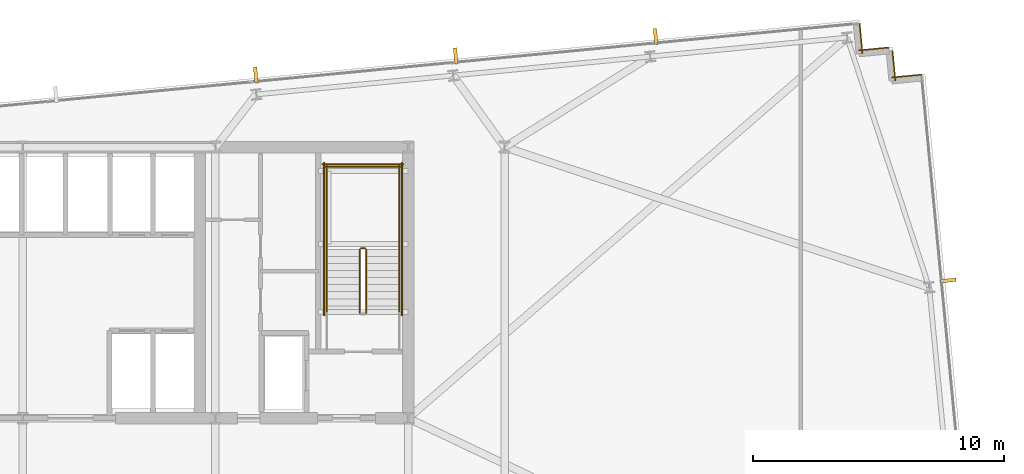
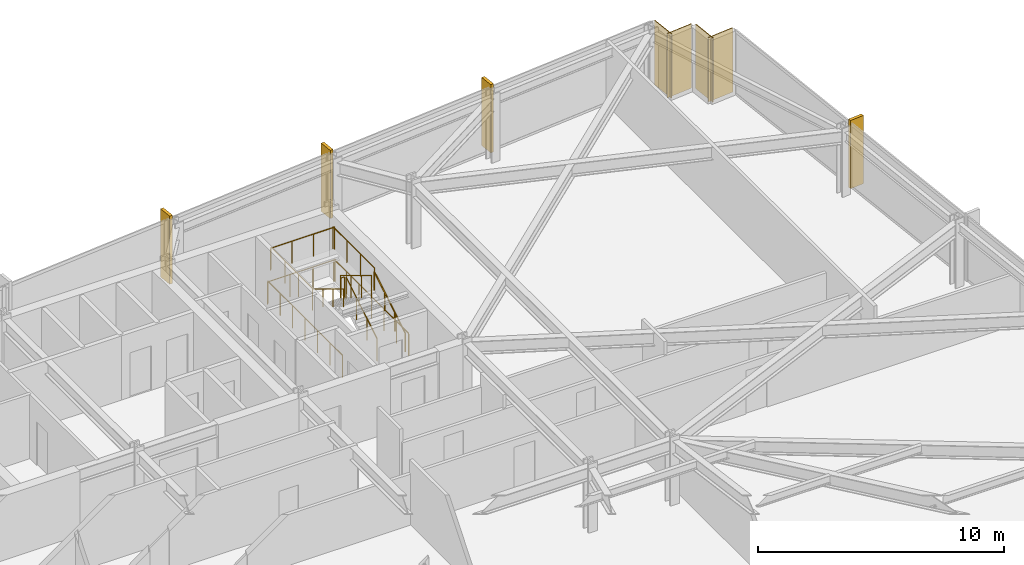
# One storey, part 32 of 32: 11 railings, 4 coverings, 4 shading devices.
"""IFC4 building model written with IfcOpenShell, lengths in metres."""

from ifc_helpers import new_model, si_unit, direction, frame, frame_2d, origin, origin_2d, place, context, subcontext, project, spatial, rectangle, circle, extrude, material, layer, layer_set, type_object, element, save


model = new_model("IFC4")

# Units and contexts
model_context = context("Model", 3, precision=1e-05, world=origin(), true_north=direction((0.0, 1.0)))
body_context = subcontext(model_context, "Body", "Model", "MODEL_VIEW")
ifc_project = project(units=[si_unit("LENGTHUNIT", "METRE"), si_unit("AREAUNIT", "SQUARE_METRE"), si_unit("VOLUMEUNIT", "CUBIC_METRE"), si_unit("PLANEANGLEUNIT", "RADIAN"), si_unit("MASSUNIT", "GRAM", prefix="KILO")], contexts=[model_context])

# Site, building, storey
site_placement = place(None, origin())
site = spatial("IfcSite", under=ifc_project, at=site_placement, CompositionType="ELEMENT")
building_placement = place(site_placement, origin())
building = spatial("IfcBuilding", under=site, at=building_placement, Name="Yelkora Congress Tower", CompositionType="ELEMENT")
storey_placement = place(building_placement, frame((0.0, 0.0, 116.89990234375)))
storey = spatial("IfcBuildingStorey", under=building, at=storey_placement, Name="L31", CompositionType="ELEMENT", Elevation=116.89990234375)

# Coverings
ifc_material_1 = material(Name="Anatolian bush-hammered limestone", Category="masonry")
ifc_layer_1 = layer(ifc_material_1, 0.0400390625)
ifc_layer_set_1 = layer_set([ifc_layer_1], Name="Anatolian bush-hammered limestone")
covering_type = type_object("IfcCoveringType", Name="COV-CLAD-SPANDREL-40", PredefinedType="CLADDING", material=ifc_layer_set_1)
for number, where, z_axis, x_axis, name in (
    (1, (71.74609375, 51.1279296875, 0.0), (0.0, 0.0, 1.0), (0.095817067274, -0.995398960025, 0.0), "L31 Anatolian Limestone Cladding EW-L31-SR11"),
    (2, (71.7138671875, 50.0546875, 0.0), (0.0, 0.0, 1.0), (0.995379537303, 0.096018626938, 0.0), "L31 Anatolian Limestone Cladding EW-L31-SR12"),
):
    element("IfcCovering", number, at=place(storey_placement, frame(where, z_axis=z_axis, x_axis=x_axis)), inside=storey, type_object=covering_type, Name=name, PredefinedType="CLADDING", context=body_context, shape_type="SweptSolid", body=[
        extrude(rectangle(XDim=1.2001953125, YDim=0.0400390625, at=frame_2d((0.60009765625, 0.0))), origin(), (0.0, 0.0, 1.0), 3.18017578125),
    ])
covering_1_placement = place(storey_placement, frame((73.0556640625, 50.04833984375, 0.0), z_axis=(0.0, 0.0, 1.0), x_axis=(0.095836473879, -0.995397091755, 0.0)))
element("IfcCovering", 3, at=covering_1_placement, inside=storey, type_object=covering_type, Name="L31 Anatolian Limestone Cladding EW-L31-SR13", PredefinedType="CLADDING", context=body_context, shape_type="SweptSolid", body=[
    extrude(rectangle(XDim=1.199951171875, YDim=0.0400390625, at=frame_2d((0.60009765625, 0.0))), origin(), (0.0, 0.0, 1.0), 3.18017578125),
])
covering_2_placement = place(storey_placement, frame((73.0234375, 48.975341796875, 0.0), z_axis=(0.0, 0.0, 1.0), x_axis=(0.995398960025, 0.095817067274, 0.0)))
element("IfcCovering", 4, at=covering_2_placement, inside=storey, type_object=covering_type, Name="L31 Anatolian Limestone Cladding EW-L31-SR14", PredefinedType="CLADDING", context=body_context, shape_type="SweptSolid", body=[
    extrude(rectangle(XDim=1.2001953125, YDim=0.0400390625, at=frame_2d((0.60009765625, 0.0))), origin(), (0.0, 0.0, 1.0), 3.18017578125),
])

# Railings
ifc_material_2 = material(Name="Painted galvanised steel stair well guard with vertical infill", Category="steel")
ifc_layer_2 = layer(ifc_material_2, 0.06005859375)
ifc_layer_set_2 = layer_set([ifc_layer_2], Name="Painted galvanised steel stair well guard with vertical infill")
railing_type_1 = type_object("IfcRailingType", Name="RAIL-STAIR-GUARD-1120", PredefinedType="GUARDRAIL", material=ifc_layer_set_2)
railing_1_placement = place(storey_placement, frame((52.090087890625, 39.60009765625, 0.170166015625)))
element("IfcRailing", 5, at=railing_1_placement, inside=storey, type_object=railing_type_1, Name="ST-02 L31 Stair Well Guardrail 1", PredefinedType="GUARDRAIL", context=body_context, shape_type="SweptSolid", body=[
    extrude(circle(Radius=0.02392578125, at=origin_2d()), frame((0.0, 0.0, 1.09619140625), z_axis=(0.0, 0.85478489116, 0.518982456201), x_axis=(-1.0, 0.0, 0.0)), (0.0, 0.0, 1.0), 2.9482421875),
    extrude(circle(Radius=0.02099609375, at=origin_2d()), origin(), (0.0, 0.0, 1.0), 1.072021484375),
    extrude(circle(Radius=0.02099609375, at=origin_2d()), frame((0.0, 0.840087890625, 0.510009765625)), (0.0, 0.0, 1.0), 1.072021484375),
    extrude(circle(Radius=0.02099609375, at=origin_2d()), frame((0.0, 1.679931640625, 1.02001953125)), (0.0, 0.0, 1.0), 1.072021484375),
    extrude(circle(Radius=0.02099609375, at=origin_2d()), frame((0.0, 2.52001953125, 1.530029296875)), (0.0, 0.0, 1.0), 1.072021484375),
])
railing_2_placement = place(storey_placement, frame((52.0400390625, 42.169921875, 1.7001953125)))
element("IfcRailing", 6, at=railing_2_placement, inside=storey, type_object=railing_type_1, Name="ST-02 L31 Stair Well Guardrail 2", PredefinedType="GUARDRAIL", context=body_context, shape_type="SweptSolid", body=[
    extrude(circle(Radius=0.02392578125, at=origin_2d()), frame((0.0, 0.0, 1.09619140625), z_axis=(-1.0, 0.0, 0.0), x_axis=(0.0, -1.0, 0.0)), (0.0, 0.0, 1.0), 0.16015625),
    extrude(circle(Radius=0.02099609375, at=origin_2d()), origin(), (0.0, 0.0, 1.0), 1.072021484375),
    extrude(circle(Radius=0.02099609375, at=origin_2d()), frame((-0.16015625, 0.0, 0.0)), (0.0, 0.0, 1.0), 1.072021484375),
])
for number, where, name in (
    (7, (53.409912109375, 42.1201171875, 1.7001953125), "ST-02 L31 Stair Well Guardrail 3"),
    (8, (50.510009765625, 42.1201171875, 1.7001953125), "ST-02 L31 Stair Well Guardrail 4"),
):
    element("IfcRailing", number, at=place(storey_placement, frame(where)), inside=storey, type_object=railing_type_1, Name=name, PredefinedType="GUARDRAIL", context=body_context, shape_type="SweptSolid", body=[
        extrude(circle(Radius=0.02392578125, at=origin_2d()), frame((0.0, 0.0, 1.09619140625), z_axis=(0.0, 1.0, 0.0), x_axis=(-1.0, 0.0, 0.0)), (0.0, 0.0, 1.0), 3.349853515625),
        extrude(circle(Radius=0.02099609375, at=origin_2d()), origin(), (0.0, 0.0, 1.0), 1.072021484375),
        extrude(circle(Radius=0.02099609375, at=origin_2d()), frame((0.0, 1.11669921875, 0.0)), (0.0, 0.0, 1.0), 1.072021484375),
        extrude(circle(Radius=0.02099609375, at=origin_2d()), frame((0.0, 2.233154296875, 0.0)), (0.0, 0.0, 1.0), 1.072021484375),
        extrude(circle(Radius=0.02099609375, at=origin_2d()), frame((0.0, 3.349853515625, 0.0)), (0.0, 0.0, 1.0), 1.072021484375),
    ])
railing_3_placement = place(storey_placement, frame((53.4599609375, 45.419921875, 1.7001953125)))
element("IfcRailing", 9, at=railing_3_placement, inside=storey, type_object=railing_type_1, Name="ST-02 L31 Stair Well Guardrail 5", PredefinedType="GUARDRAIL", context=body_context, shape_type="SweptSolid", body=[
    extrude(circle(Radius=0.02392578125, at=origin_2d()), frame((0.0, 0.0, 1.09619140625), z_axis=(-1.0, 0.0, 0.0), x_axis=(0.0, -1.0, 0.0)), (0.0, 0.0, 1.0), 3.0),
    extrude(circle(Radius=0.02099609375, at=origin_2d()), origin(), (0.0, 0.0, 1.0), 1.072021484375),
    extrude(circle(Radius=0.02099609375, at=origin_2d()), frame((-1.0, 0.0, 0.0)), (0.0, 0.0, 1.0), 1.072021484375),
    extrude(circle(Radius=0.02099609375, at=origin_2d()), frame((-2.0, 0.0, 0.0)), (0.0, 0.0, 1.0), 1.072021484375),
    extrude(circle(Radius=0.02099609375, at=origin_2d()), frame((-3.0, 0.0, 0.0)), (0.0, 0.0, 1.0), 1.072021484375),
])
railing_4_placement = place(storey_placement, frame((51.830078125, 42.1201171875, 1.8701171875)))
element("IfcRailing", 10, at=railing_4_placement, inside=storey, type_object=railing_type_1, Name="ST-02 L31 Stair Well Guardrail 6", PredefinedType="GUARDRAIL", context=body_context, shape_type="SweptSolid", body=[
    extrude(circle(Radius=0.02392578125, at=origin_2d()), frame((0.0, 0.0, 1.09619140625), z_axis=(0.0, -0.85478489116, 0.518982456201), x_axis=(1.0, 0.0, 0.0)), (0.0, 0.0, 1.0), 2.9482421875),
    extrude(circle(Radius=0.02099609375, at=origin_2d()), origin(), (0.0, 0.0, 1.0), 1.072021484375),
    extrude(circle(Radius=0.02099609375, at=origin_2d()), frame((0.0, -0.840087890625, 0.510009765625)), (0.0, 0.0, 1.0), 1.072021484375),
    extrude(circle(Radius=0.02099609375, at=origin_2d()), frame((0.0, -1.679931640625, 1.02001953125)), (0.0, 0.0, 1.0), 1.072021484375),
    extrude(circle(Radius=0.02099609375, at=origin_2d()), frame((0.0, -2.52001953125, 1.530029296875)), (0.0, 0.0, 1.0), 1.072021484375),
])
for number, where, name in (
    (11, (53.510009765625, 39.5, 0.0), "ST-02 L31 Stair Well Guardrail 10"),
    (12, (50.409912109375, 39.5, 0.0), "ST-02 L31 Stair Well Guardrail 11"),
):
    element("IfcRailing", number, at=place(storey_placement, frame(where)), inside=storey, type_object=railing_type_1, Name=name, PredefinedType="GUARDRAIL", context=body_context, shape_type="SweptSolid", body=[
        extrude(circle(Radius=0.02392578125, at=origin_2d()), frame((0.0, 0.0, 1.09619140625), z_axis=(0.0, 1.0, 0.0), x_axis=(-1.0, 0.0, 0.0)), (0.0, 0.0, 1.0), 6.070068359375),
        extrude(circle(Radius=0.02099609375, at=origin_2d()), origin(), (0.0, 0.0, 1.0), 1.072021484375),
        extrude(circle(Radius=0.02099609375, at=origin_2d()), frame((0.0, 1.01171875, 0.0)), (0.0, 0.0, 1.0), 1.072021484375),
        extrude(circle(Radius=0.02099609375, at=origin_2d()), frame((0.0, 2.0234375, 0.0)), (0.0, 0.0, 1.0), 1.072021484375),
        extrude(circle(Radius=0.02099609375, at=origin_2d()), frame((0.0, 3.03515625, 0.0)), (0.0, 0.0, 1.0), 1.072021484375),
        extrude(circle(Radius=0.02099609375, at=origin_2d()), frame((0.0, 4.046630859375, 0.0)), (0.0, 0.0, 1.0), 1.072021484375),
        extrude(circle(Radius=0.02099609375, at=origin_2d()), frame((0.0, 5.058349609375, 0.0)), (0.0, 0.0, 1.0), 1.072021484375),
        extrude(circle(Radius=0.02099609375, at=origin_2d()), frame((0.0, 6.070068359375, 0.0)), (0.0, 0.0, 1.0), 1.072021484375),
    ])
railing_5_placement = place(storey_placement, frame((53.56005859375, 45.52001953125, 0.0)))
element("IfcRailing", 13, at=railing_5_placement, inside=storey, type_object=railing_type_1, Name="ST-02 L31 Stair Well Guardrail 12", PredefinedType="GUARDRAIL", context=body_context, shape_type="SweptSolid", body=[
    extrude(circle(Radius=0.02392578125, at=origin_2d()), frame((0.0, 0.0, 1.09619140625), z_axis=(-1.0, 0.0, 0.0), x_axis=(0.0, -1.0, 0.0)), (0.0, 0.0, 1.0), 3.199951171875),
    extrude(circle(Radius=0.02099609375, at=origin_2d()), origin(), (0.0, 0.0, 1.0), 1.072021484375),
    extrude(circle(Radius=0.02099609375, at=origin_2d()), frame((-1.066650390625, 0.0, 0.0)), (0.0, 0.0, 1.0), 1.072021484375),
    extrude(circle(Radius=0.02099609375, at=origin_2d()), frame((-2.13330078125, 0.0, 0.0)), (0.0, 0.0, 1.0), 1.072021484375),
    extrude(circle(Radius=0.02099609375, at=origin_2d()), frame((-3.199951171875, 0.0, 0.0)), (0.0, 0.0, 1.0), 1.072021484375),
])
ifc_material_3 = material(Name="Brushed stainless steel tubular handrail", Category="steel")
ifc_layer_3 = layer(ifc_material_3, 0.050048828125)
ifc_layer_set_3 = layer_set([ifc_layer_3], Name="Brushed stainless steel tubular handrail")
railing_type_2 = type_object("IfcRailingType", Name="RAIL-STAIR-HAND-920", PredefinedType="HANDRAIL", material=ifc_layer_set_3)
railing_6_placement = place(storey_placement, frame((53.409912109375, 39.60009765625, 0.170166015625)))
element("IfcRailing", 14, at=railing_6_placement, inside=storey, type_object=railing_type_2, Name="ST-02 L31 Pitch Handrail 1", PredefinedType="HANDRAIL", context=body_context, shape_type="SweptSolid", body=[
    extrude(circle(Radius=0.02392578125, at=origin_2d()), frame((0.0, 0.0, 0.89599609375), z_axis=(0.0, 0.85478489116, 0.518982456201), x_axis=(-1.0, 0.0, 0.0)), (0.0, 0.0, 1.0), 2.9482421875),
    extrude(circle(Radius=0.02099609375, at=origin_2d()), origin(), (0.0, 0.0, 1.0), 0.871826171875),
    extrude(circle(Radius=0.02099609375, at=origin_2d()), frame((0.0, 0.840087890625, 0.510009765625)), (0.0, 0.0, 1.0), 0.871826171875),
    extrude(circle(Radius=0.02099609375, at=origin_2d()), frame((0.0, 1.679931640625, 1.02001953125)), (0.0, 0.0, 1.0), 0.871826171875),
    extrude(circle(Radius=0.02099609375, at=origin_2d()), frame((0.0, 2.52001953125, 1.530029296875)), (0.0, 0.0, 1.0), 0.871826171875),
])
railing_7_placement = place(storey_placement, frame((50.510009765625, 42.1201171875, 1.8701171875)))
element("IfcRailing", 15, at=railing_7_placement, inside=storey, type_object=railing_type_2, Name="ST-02 L31 Pitch Handrail 2", PredefinedType="HANDRAIL", context=body_context, shape_type="SweptSolid", body=[
    extrude(circle(Radius=0.02392578125, at=origin_2d()), frame((0.0, 0.0, 0.89599609375), z_axis=(0.0, -0.85478489116, 0.518982456201), x_axis=(1.0, 0.0, 0.0)), (0.0, 0.0, 1.0), 2.9482421875),
    extrude(circle(Radius=0.02099609375, at=origin_2d()), origin(), (0.0, 0.0, 1.0), 0.871826171875),
    extrude(circle(Radius=0.02099609375, at=origin_2d()), frame((0.0, -0.840087890625, 0.510009765625)), (0.0, 0.0, 1.0), 0.871826171875),
    extrude(circle(Radius=0.02099609375, at=origin_2d()), frame((0.0, -1.679931640625, 1.02001953125)), (0.0, 0.0, 1.0), 0.871826171875),
    extrude(circle(Radius=0.02099609375, at=origin_2d()), frame((0.0, -2.52001953125, 1.530029296875)), (0.0, 0.0, 1.0), 0.871826171875),
])

# Shading devices
ifc_material_4 = material(Name="Champagne anodised aluminium", Category="aluminium")
ifc_layer_4 = layer(ifc_material_4, 3.39990234375)
ifc_layer_set_4 = layer_set([ifc_layer_4], Name="Champagne anodised aluminium")
shading_device_type = type_object("IfcShadingDeviceType", Name="SHD-FIN-ALU-640", PredefinedType="USERDEFINED", material=ifc_layer_set_4)
for number, where, z_axis, x_axis, name in (
    (16, (47.68896484375, 49.072509765625, -0.02978515625), (0.0, 0.0, 1.0), (0.995396198367, 0.09584575252, 0.0), "L31 Vertical Anodised Solar Fin 10-4"),
    (17, (55.65478515625, 49.839599609375, -0.02978515625), (0.0, 0.0, 1.0), (0.995396198367, 0.09584575252, 0.0), "L31 Vertical Anodised Solar Fin 10-5"),
    (18, (63.620849609375, 50.606689453125, -0.02978515625), (0.0, 0.0, 1.0), (0.995396198367, 0.09584575252, 0.0), "L31 Vertical Anodised Solar Fin 10-6"),
    (19, (75.268798828125, 40.888427734375, -0.02978515625), (0.0, 0.0, 1.0), (0.09584575252, -0.995396198367, 0.0), "L31 Vertical Anodised Solar Fin 15-1"),
):
    element("IfcShadingDevice", number, at=place(storey_placement, frame(where, z_axis=z_axis, x_axis=x_axis)), inside=storey, type_object=shading_device_type, Name=name, ObjectType="FIN", PredefinedType="USERDEFINED", context=body_context, shape_type="SweptSolid", body=[
        extrude(rectangle(XDim=0.139892578125, YDim=0.639892578125, at=origin_2d()), origin(), (0.0, 0.0, 1.0), 3.3798828125),
    ])

save(model, "model.ifc")
